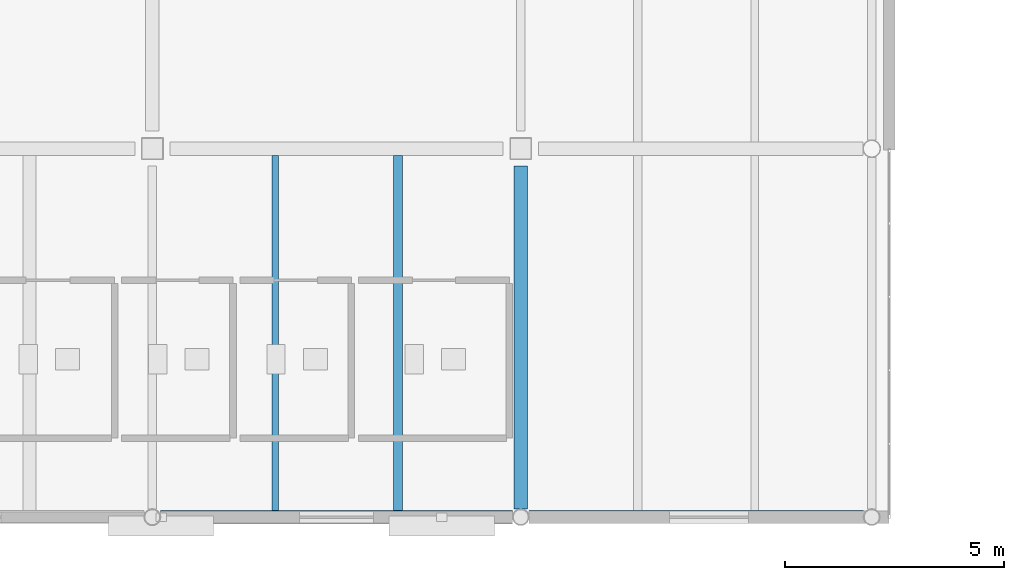
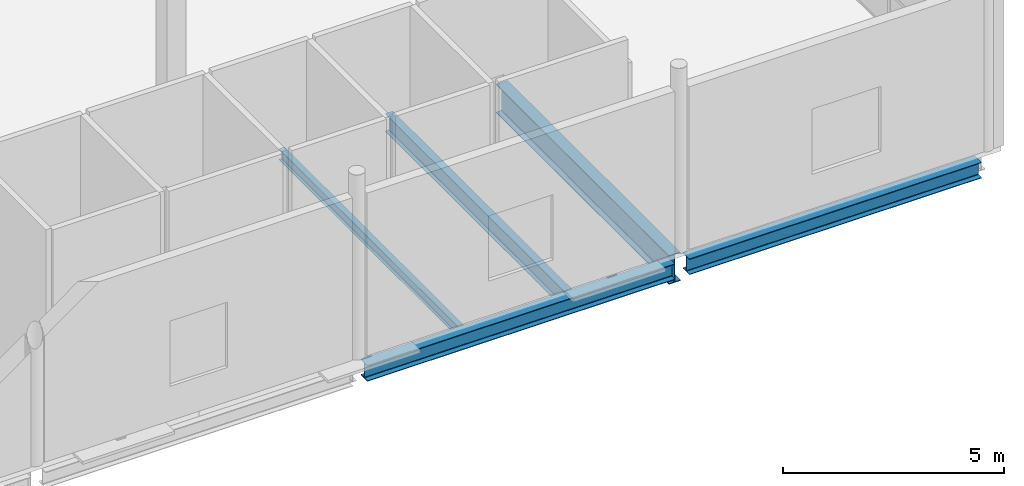
# One storey, part 39 of 104: 5 beams.
"""IFC4 building model written with IfcOpenShell, lengths in metres."""

from ifc_helpers import new_model, si_unit, direction, frame, origin, origin_2d, place, context, subcontext, project, spatial, i_section, extrude, material, material_profile, profile_set, type_object, element, save


model = new_model("IFC4")

# Units and contexts
model_context = context("Model", 3, precision=1e-05, world=origin(), true_north=direction((0.0, 1.0)))
body_context = subcontext(model_context, "Body", "Model", "MODEL_VIEW")
ifc_project = project(units=[si_unit("LENGTHUNIT", "METRE"), si_unit("AREAUNIT", "SQUARE_METRE"), si_unit("VOLUMEUNIT", "CUBIC_METRE"), si_unit("PLANEANGLEUNIT", "RADIAN"), si_unit("MASSUNIT", "GRAM", prefix="KILO"), si_unit("THERMODYNAMICTEMPERATUREUNIT", "KELVIN")], contexts=[model_context])

# Site, building, storey
site_placement = place(None, origin())
site = spatial("IfcSite", under=ifc_project, at=site_placement, CompositionType="ELEMENT")
building_placement = place(site_placement, origin())
building = spatial("IfcBuilding", under=site, at=building_placement, Name="Lustrewick Department Store", CompositionType="ELEMENT")
storey_placement = place(building_placement, frame((0.0, 0.0, 11.39990234375)))
storey = spatial("IfcBuildingStorey", under=building, at=storey_placement, Name="L03", CompositionType="ELEMENT", Elevation=11.39990234375)

# Beams
ifc_material = material(Name="Structural steel Q355B", Category="steel")
ifc_material_profile_1 = material_profile(ifc_material, i_section(OverallWidth=0.198974609375, OverallDepth=0.49609375, WebThickness=0.009033203125, FlangeThickness=0.013916015625, FilletRadius=0.01611328125, at=origin_2d()), Name="HN 496x199x9x14")
ifc_profile_set_1 = profile_set([ifc_material_profile_1], Name="Structural steel Q355B")
beam_type_1 = type_object("IfcBeamType", Name="B02", PredefinedType="JOIST", material=ifc_profile_set_1)
beam_1_placement = place(storey_placement, frame((140.0, 8.550048828125, -0.5029296875), z_axis=(0.0, 1.0, 0.0), x_axis=(-1.0, 0.0, 0.0)))
element("IfcBeam", 1, at=beam_1_placement, inside=storey, type_object=beam_type_1, Name="L03 V3 Secondary Joist B02", PredefinedType="JOIST", context=body_context, shape_type="SweptSolid", body=[
    extrude(i_section(OverallWidth=0.198974609375, OverallDepth=0.49609375, WebThickness=0.009033203125, FlangeThickness=0.013916015625, FilletRadius=0.01611328125, at=origin_2d()), origin(), (0.0, 0.0, 1.0), 8.098876953125),
])
ifc_material_profile_2 = material_profile(ifc_material, i_section(OverallWidth=0.14990234375, OverallDepth=0.300048828125, WebThickness=0.006591796875, FlangeThickness=0.009033203125, FilletRadius=0.011962890625, at=origin_2d()), Name="HN 300x150x6.5x9")
ifc_profile_set_2 = profile_set([ifc_material_profile_2], Name="Structural steel Q355B")
beam_type_2 = type_object("IfcBeamType", Name="B11", PredefinedType="JOIST", material=ifc_profile_set_2)
beam_2_placement = place(storey_placement, frame((137.199951171875, 8.550048828125, -0.40478515625), z_axis=(0.0, 1.0, 0.0), x_axis=(-1.0, 0.0, 0.0)))
element("IfcBeam", 2, at=beam_2_placement, inside=storey, type_object=beam_type_2, Name="L03 V3 Secondary Joist B11", PredefinedType="JOIST", context=body_context, shape_type="SweptSolid", body=[
    extrude(i_section(OverallWidth=0.14990234375, OverallDepth=0.300048828125, WebThickness=0.006591796875, FlangeThickness=0.009033203125, FilletRadius=0.011962890625, at=origin_2d()), origin(), (0.0, 0.0, 1.0), 8.098876953125),
])
ifc_material_profile_3 = material_profile(ifc_material, i_section(OverallWidth=0.300048828125, OverallDepth=0.7919921875, WebThickness=0.013916015625, FlangeThickness=0.02197265625, FilletRadius=0.02197265625, at=origin_2d()), Name="HN 792x300x14x22")
ifc_profile_set_3 = profile_set([ifc_material_profile_3], Name="Structural steel Q355B")
beam_type_3 = type_object("IfcBeamType", Name="G06", PredefinedType="BEAM", material=ifc_profile_set_3)
beam_3_placement = place(storey_placement, frame((142.800048828125, 8.58837890625, -0.65087890625), z_axis=(0.0, 1.0, 0.0), x_axis=(-1.0, 0.0, 0.0)))
element("IfcBeam", 3, at=beam_3_placement, inside=storey, type_object=beam_type_3, Name="L03 V3 Girder G06", PredefinedType="BEAM", context=body_context, shape_type="SweptSolid", body=[
    extrude(i_section(OverallWidth=0.300048828125, OverallDepth=0.7919921875, WebThickness=0.013916015625, FlangeThickness=0.02197265625, FilletRadius=0.02197265625, at=origin_2d()), origin(), (0.0, 0.0, 1.0), 7.8115234375),
])
ifc_material_profile_4 = material_profile(ifc_material, i_section(OverallWidth=0.300048828125, OverallDepth=0.43994140625, WebThickness=0.010986328125, FlangeThickness=0.01806640625, FilletRadius=0.02001953125, at=origin_2d()), Name="HM 440x300x11x18")
ifc_profile_set_4 = profile_set([ifc_material_profile_4], Name="Structural steel Q355B")
beam_type_4 = type_object("IfcBeamType", Name="SP02", PredefinedType="SPANDREL", material=ifc_profile_set_4)
beam_4_placement = place(storey_placement, frame((134.58837890625, 8.39990234375, -0.474853515625), z_axis=(1.0, 0.0, 0.0), x_axis=(0.0, 1.0, 0.0)))
element("IfcBeam", 4, at=beam_4_placement, inside=storey, type_object=beam_type_4, Name="L03 V3 Girder SP02", PredefinedType="SPANDREL", context=body_context, shape_type="SweptSolid", body=[
    extrude(i_section(OverallWidth=0.300048828125, OverallDepth=0.43994140625, WebThickness=0.010986328125, FlangeThickness=0.01806640625, FilletRadius=0.02001953125, at=origin_2d()), origin(), (0.0, 0.0, 1.0), 8.023193359375),
])
beam_5_placement = place(storey_placement, frame((142.988525390625, 8.39990234375, -0.474853515625), z_axis=(1.0, 0.0, 0.0), x_axis=(0.0, 1.0, 0.0)))
element("IfcBeam", 5, at=beam_5_placement, inside=storey, type_object=beam_type_4, Name="L03 V3 Girder SP02", PredefinedType="SPANDREL", context=body_context, shape_type="SweptSolid", body=[
    extrude(i_section(OverallWidth=0.300048828125, OverallDepth=0.43994140625, WebThickness=0.010986328125, FlangeThickness=0.01806640625, FilletRadius=0.02001953125, at=origin_2d()), origin(), (0.0, 0.0, 1.0), 7.623046875),
])

save(model, "model.ifc")
